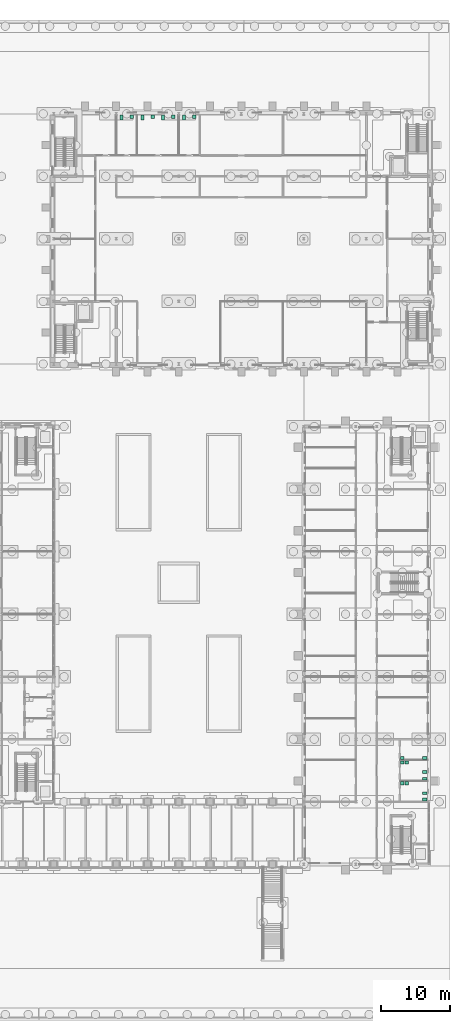
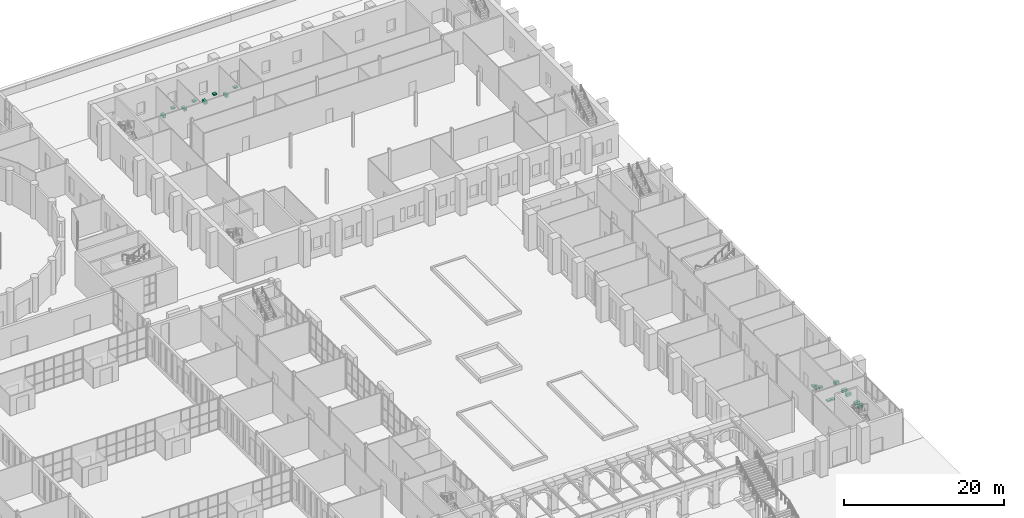
# One storey, part 167 of 168: 18 sanitary terminals.
"""IFC4 building model written with IfcOpenShell, lengths in metres."""

from ifc_helpers import new_model, si_unit, direction, frame, origin, origin_2d, place, context, subcontext, project, spatial, rectangle, extrude, material, type_object, element, save


model = new_model("IFC4")

# Units and contexts
model_context = context("Model", 3, precision=1e-05, world=origin(), true_north=direction((0.0, 1.0)))
body_context = subcontext(model_context, "Body", "Model", "MODEL_VIEW")
ifc_project = project(units=[si_unit("LENGTHUNIT", "METRE"), si_unit("AREAUNIT", "SQUARE_METRE"), si_unit("VOLUMEUNIT", "CUBIC_METRE"), si_unit("PLANEANGLEUNIT", "RADIAN"), si_unit("MASSUNIT", "GRAM", prefix="KILO")], contexts=[model_context])

# Site, building, storey
site_placement = place(None, origin())
site = spatial("IfcSite", under=ifc_project, at=site_placement, CompositionType="ELEMENT")
building_placement = place(site_placement, origin())
building = spatial("IfcBuilding", under=site, at=building_placement, Name="Golden Quay Civic Hall", CompositionType="ELEMENT")
storey_placement = place(building_placement, origin())
storey = spatial("IfcBuildingStorey", under=building, at=storey_placement, Name="L00", CompositionType="ELEMENT", Elevation=0.0)

# Sanitary terminals
ifc_material_1 = material(Name="Ceramic")
sanitary_terminal_type_1 = type_object("IfcSanitaryTerminalType", Name="Toilet pan", PredefinedType="TOILETPAN", material=ifc_material_1)
for number, where, z_axis, x_axis, name in (
    (1, (170.39990234375, 0.324951171875, 0.0), (0.0, 0.0, 1.0), (0.0, 1.0, 0.0), "Toilet pan"),
    (2, (170.39990234375, 1.22509765625, 0.0), (0.0, 0.0, 1.0), (0.0, 1.0, 0.0), "Toilet pan"),
    (3, (170.39990234375, 3.300048828125, 0.0), (0.0, 0.0, 1.0), (0.0, 1.0, 0.0), "Toilet pan"),
    (4, (170.39990234375, 4.300048828125, 0.0), (0.0, 0.0, 1.0), (0.0, 1.0, 0.0), "Toilet pan"),
    (5, (170.39990234375, 6.300048828125, 0.0), (0.0, 0.0, 1.0), (0.0, 1.0, 0.0), "Toilet pan"),
):
    element("IfcSanitaryTerminal", number, at=place(storey_placement, frame(where, z_axis=z_axis, x_axis=x_axis)), inside=storey, type_object=sanitary_terminal_type_1, Name=name, PredefinedType="TOILETPAN", context=body_context, shape_type="SweptSolid", body=[
        extrude(rectangle(XDim=0.39990234375, YDim=0.699951171875, at=origin_2d()), origin(), (0.0, 0.0, 1.0), 0.39990234375),
    ])
ifc_material_2 = material(Name="Vitreous china")
sanitary_terminal_type_2 = type_object("IfcSanitaryTerminalType", Name="Wall-hung WC pan", PredefinedType="TOILETPAN", material=ifc_material_2)
for number, where, z_axis, x_axis, name in (
    (6, (126.77490234375, 98.449951171875, 0.0), (0.0, 0.0, 1.0), (1.0, 0.0, 0.0), "WC pan"),
    (7, (129.7880859375, 98.449951171875, 0.0), (0.0, 0.0, 1.0), (1.0, 0.0, 0.0), "WC pan"),
    (8, (132.738037109375, 98.449951171875, 0.0), (0.0, 0.0, 1.0), (1.0, 0.0, 0.0), "WC pan"),
    (9, (135.76904296875, 98.449951171875, 0.0), (0.0, 0.0, 1.0), (1.0, 0.0, 0.0), "WC pan"),
):
    element("IfcSanitaryTerminal", number, at=place(storey_placement, frame(where, z_axis=z_axis, x_axis=x_axis)), inside=storey, type_object=sanitary_terminal_type_2, Name=name, PredefinedType="TOILETPAN", context=body_context, shape_type="SweptSolid", body=[
        extrude(rectangle(XDim=0.39990234375, YDim=0.699951171875, at=origin_2d()), origin(), (0.0, 0.0, 1.0), 0.39990234375),
    ])
ifc_material_3 = material(Name="Ceramic")
sanitary_terminal_type_3 = type_object("IfcSanitaryTerminalType", Name="Wash basin", PredefinedType="WASHHANDBASIN", material=ifc_material_3)
for number, where, z_axis, x_axis, name in (
    (10, (167.175048828125, 2.675048828125, 0.7001953125), (0.0, 0.0, 1.0), (1.0, 0.0, 0.0), "Wash basin"),
    (11, (167.77490234375, 2.675048828125, 0.7001953125), (0.0, 0.0, 1.0), (1.0, 0.0, 0.0), "Wash basin"),
    (12, (167.175048828125, 5.675048828125, 0.7001953125), (0.0, 0.0, 1.0), (1.0, 0.0, 0.0), "Wash basin"),
    (13, (167.77490234375, 5.675048828125, 0.7001953125), (0.0, 0.0, 1.0), (1.0, 0.0, 0.0), "Wash basin"),
    (14, (167.175048828125, 6.324951171875, 0.7001953125), (0.0, 0.0, 1.0), (1.0, 0.0, 0.0), "Wash basin"),
):
    element("IfcSanitaryTerminal", number, at=place(storey_placement, frame(where, z_axis=z_axis, x_axis=x_axis)), inside=storey, type_object=sanitary_terminal_type_3, Name=name, PredefinedType="WASHHANDBASIN", context=body_context, shape_type="SweptSolid", body=[
        extrude(rectangle(XDim=0.5, YDim=0.449951171875, at=origin_2d()), origin(), (0.0, 0.0, 1.0), 0.199951171875),
    ])
ifc_material_4 = material(Name="Vitreous china")
sanitary_terminal_type_4 = type_object("IfcSanitaryTerminalType", Name="Washbasin 500", PredefinedType="WASHHANDBASIN", material=ifc_material_4)
for number, where, z_axis, x_axis, name in (
    (15, (128.22509765625, 98.574951171875, 0.7001953125), (0.0, 0.0, 1.0), (1.0, 0.0, 0.0), "Washbasin"),
    (16, (131.261962890625, 98.574951171875, 0.7001953125), (0.0, 0.0, 1.0), (1.0, 0.0, 0.0), "Washbasin"),
    (17, (134.2119140625, 98.574951171875, 0.7001953125), (0.0, 0.0, 1.0), (1.0, 0.0, 0.0), "Washbasin"),
    (18, (137.2060546875, 98.574951171875, 0.7001953125), (0.0, 0.0, 1.0), (1.0, 0.0, 0.0), "Washbasin"),
):
    element("IfcSanitaryTerminal", number, at=place(storey_placement, frame(where, z_axis=z_axis, x_axis=x_axis)), inside=storey, type_object=sanitary_terminal_type_4, Name=name, PredefinedType="WASHHANDBASIN", context=body_context, shape_type="SweptSolid", body=[
        extrude(rectangle(XDim=0.5, YDim=0.449951171875, at=origin_2d()), origin(), (0.0, 0.0, 1.0), 0.199951171875),
    ])

save(model, "model.ifc")
